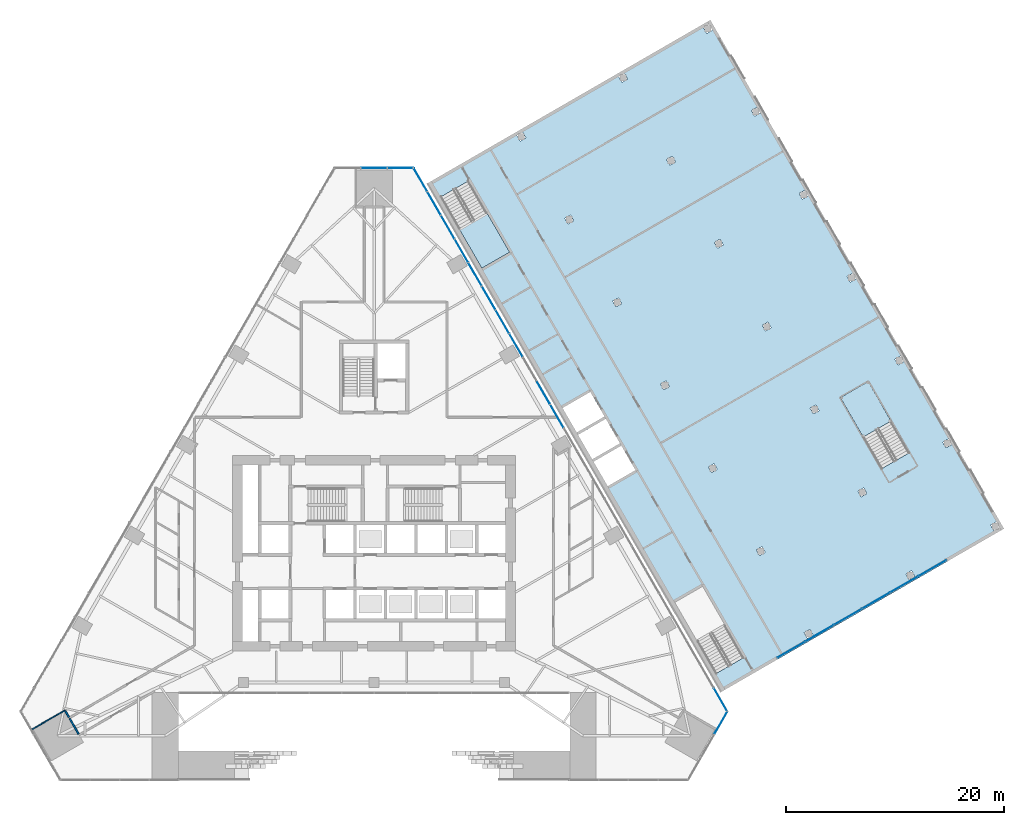
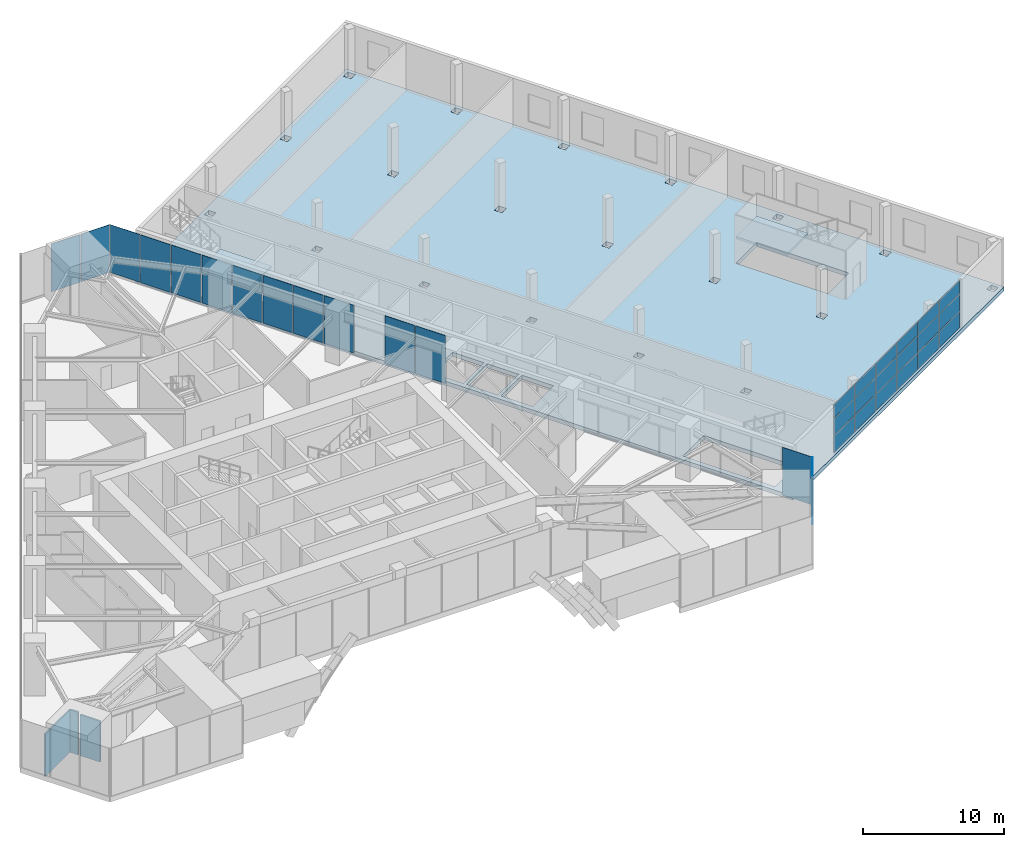
# One storey, part 16 of 29: 32 plates, 3 slabs, 3 walls, 6 elements without a shape of their own.
"""IFC4 building model written with IfcOpenShell, lengths in metres."""

from ifc_helpers import new_model, si_unit, direction, frame, frame_2d, origin, origin_2d, place, context, subcontext, project, spatial, polyline, rectangle, outline, extrude, material, layer, layer_set, type_object, element, aggregate, save


model = new_model("IFC4")

# Units and contexts
model_context = context("Model", 3, precision=1e-05, world=origin(), true_north=direction((0.0, 1.0)))
body_context = subcontext(model_context, "Body", "Model", "MODEL_VIEW")
ifc_project = project(units=[si_unit("LENGTHUNIT", "METRE"), si_unit("AREAUNIT", "SQUARE_METRE"), si_unit("VOLUMEUNIT", "CUBIC_METRE"), si_unit("PLANEANGLEUNIT", "RADIAN"), si_unit("MASSUNIT", "GRAM", prefix="KILO")], contexts=[model_context])

# Site, building, storey
site_placement = place(None, origin())
site = spatial("IfcSite", under=ifc_project, at=site_placement, CompositionType="ELEMENT")
building_placement = place(site_placement, origin())
building = spatial("IfcBuilding", under=site, at=building_placement, Name="Firuza Gate Tower and Library", CompositionType="ELEMENT")
storey_placement = place(building_placement, frame((0.0, 0.0, 17.199951171875)))
storey = spatial("IfcBuildingStorey", under=building, at=storey_placement, Name="L03", CompositionType="ELEMENT", Elevation=17.199951171875)

# Curtain wall, plate
ifc_material_1 = material(Name="Aluminium 6063-T6", Category="aluminium")
ifc_layer_1 = layer(ifc_material_1, 0.14990234375)
ifc_layer_set_1 = layer_set([ifc_layer_1], Name="Stick curtain wall, podium")
curtain_wall_type_1 = type_object("IfcCurtainWallType", Name="Stick curtain wall, podium", PredefinedType="NOTDEFINED", material=ifc_layer_set_1)
placement_1 = place(storey_placement, origin())
curtain_wall_1 = element("IfcCurtainWall", 1, at=placement_1, inside=storey, type_object=curtain_wall_type_1, Name="CW5 L03 SE", PredefinedType="NOTDEFINED")
ifc_material_2 = material(Name="Fritted glass", Category="glass")
ifc_layer_2 = layer(ifc_material_2, 0.030029296875)
ifc_layer_set_2 = layer_set([ifc_layer_2], Name="Clear glass unit, podium")
plate_type_1 = type_object("IfcPlateType", Name="Clear glass unit, podium", PredefinedType="CURTAIN_PANEL", material=ifc_layer_set_2)
plate_1_placement = place(storey_placement, frame((106.30517578125, 58.37451171875, 0.150146484375), z_axis=(0.866047116916, -0.499962389866, 0.0), x_axis=(0.499962389866, 0.866047116916, 0.0)))
plate_1 = element("IfcPlate", 2, at=plate_1_placement, type_object=plate_type_1, Name="Glass unit", PredefinedType="CURTAIN_PANEL", context=body_context, shape_type="SweptSolid", body=[
    extrude(outline(polyline([(0.0, 0.0), (2.3488094905771977, 0.0), (2.3488094905771977, 4.149902343750001), (0.0, 4.149902343750001), (0.0, 0.0)])), origin(), (0.0, 0.0, -1.0), 0.030029296875),
])
aggregate(curtain_wall_1, [plate_1])

# Curtain wall, plates
curtain_wall_2 = element("IfcCurtainWall", 3, at=placement_1, inside=storey, type_object=curtain_wall_type_1, Name="CW5 L03 E", PredefinedType="NOTDEFINED")
plate_2_placement = place(storey_placement, frame((107.4794921875, 60.492919921875, 0.150146484375), z_axis=(0.866056658381, 0.499945861543, 0.0), x_axis=(-0.499945861543, 0.866056658381, 0.0)))
plate_2 = element("IfcPlate", 4, at=plate_2_placement, type_object=plate_type_1, Name="Glass unit", PredefinedType="CURTAIN_PANEL", context=body_context, shape_type="SweptSolid", body=[
    extrude(outline(polyline([(0.0, 0.0), (2.4279972710515545, 0.0), (2.4279972710515545, 4.14990234375), (0.0, 4.14990234375), (0.0, 0.0)])), origin(), (0.0, 0.0, -1.0), 0.030029296875),
])
plate_3_placement = place(storey_placement, frame((92.430908203125, 86.55810546875, 0.150146484375), z_axis=(0.866013120021, 0.500021275498, 0.0), x_axis=(-0.500021275498, 0.866013120021, 0.0)))
plate_3 = element("IfcPlate", 5, at=plate_3_placement, type_object=plate_type_1, Name="Glass unit", PredefinedType="CURTAIN_PANEL", context=body_context, shape_type="SweptSolid", body=[
    extrude(outline(polyline([(0.0, 0.0), (2.428119337352694, 0.0), (2.428119337352694, 4.149902343749999), (0.0, 4.149902343749999), (0.0, 0.0)])), origin(), (0.0, 0.0, -1.0), 0.030029296875),
])
plate_4_placement = place(storey_placement, frame((91.1767578125, 88.72998046875, 0.150146484375), z_axis=(0.866081787721, 0.499902327438, 0.0), x_axis=(-0.499902327438, 0.866081787721, 0.0)))
plate_4 = element("IfcPlate", 6, at=plate_4_placement, type_object=plate_type_1, Name="Glass unit", PredefinedType="CURTAIN_PANEL", context=body_context, shape_type="SweptSolid", body=[
    extrude(outline(polyline([(0.0, 0.0), (2.428208713733097, 0.0), (2.428208713733097, 4.14990234375), (0.0, 4.14990234375), (0.0, 0.0)])), origin(), (0.0, 0.0, -1.0), 0.030029296875),
])
plate_5_placement = place(storey_placement, frame((88.668701171875, 93.07421875, 0.150146484375), z_axis=(0.866013120021, 0.500021275498, 0.0), x_axis=(-0.500021275498, 0.866013120021, 0.0)))
plate_5 = element("IfcPlate", 7, at=plate_5_placement, type_object=plate_type_1, Name="Glass unit", PredefinedType="CURTAIN_PANEL", context=body_context, shape_type="SweptSolid", body=[
    extrude(outline(polyline([(0.0, 0.0), (2.428119337352694, 0.0), (2.428119337352694, 4.149902343749999), (0.0, 4.149902343749999), (0.0, 0.0)])), origin(), (0.0, 0.0, -1.0), 0.030029296875),
])
plate_6_placement = place(storey_placement, frame((87.414794921875, 95.246337890625, 0.150146484375), z_axis=(0.866013120021, 0.500021275498, 0.0), x_axis=(-0.500021275498, 0.866013120021, 0.0)))
plate_6 = element("IfcPlate", 8, at=plate_6_placement, type_object=plate_type_1, Name="Glass unit", PredefinedType="CURTAIN_PANEL", context=body_context, shape_type="SweptSolid", body=[
    extrude(outline(polyline([(0.0, 0.0), (2.428119337352694, 0.0), (2.428119337352694, 4.149902343749999), (0.0, 4.149902343749999), (0.0, 0.0)])), origin(), (0.0, 0.0, -1.0), 0.030029296875),
])
plate_7_placement = place(storey_placement, frame((86.16064453125, 97.41845703125, 0.150146484375), z_axis=(0.866013120021, 0.500021275498, 0.0), x_axis=(-0.500021275498, 0.866013120021, 0.0)))
plate_7 = element("IfcPlate", 9, at=plate_7_placement, type_object=plate_type_1, Name="Glass unit", PredefinedType="CURTAIN_PANEL", context=body_context, shape_type="SweptSolid", body=[
    extrude(outline(polyline([(0.0, 0.0), (2.428119337352694, 0.0), (2.428119337352694, 4.149902343749999), (0.0, 4.149902343749999), (0.0, 0.0)])), origin(), (0.0, 0.0, -1.0), 0.030029296875),
])
plate_8_placement = place(storey_placement, frame((84.906494140625, 99.590576171875, 0.150146484375), z_axis=(0.866056658381, 0.499945861543, 0.0), x_axis=(-0.499945861543, 0.866056658381, 0.0)))
plate_8 = element("IfcPlate", 10, at=plate_8_placement, type_object=plate_type_1, Name="Glass unit", PredefinedType="CURTAIN_PANEL", context=body_context, shape_type="SweptSolid", body=[
    extrude(outline(polyline([(0.0, 0.0), (2.4279972710515545, 0.0), (2.4279972710515545, 4.14990234375), (0.0, 4.14990234375), (0.0, 0.0)])), origin(), (0.0, 0.0, -1.0), 0.030029296875),
])
plate_9_placement = place(storey_placement, frame((83.652587890625, 101.7626953125, 0.150146484375), z_axis=(0.866013120021, 0.500021275498, 0.0), x_axis=(-0.500021275498, 0.866013120021, 0.0)))
plate_9 = element("IfcPlate", 11, at=plate_9_placement, type_object=plate_type_1, Name="Glass unit", PredefinedType="CURTAIN_PANEL", context=body_context, shape_type="SweptSolid", body=[
    extrude(outline(polyline([(0.0, 0.0), (2.428119337352694, 0.0), (2.428119337352694, 4.149902343749999), (0.0, 4.149902343749999), (0.0, 0.0)])), origin(), (0.0, 0.0, -1.0), 0.030029296875),
])
plate_10_placement = place(storey_placement, frame((82.3984375, 103.934814453125, 0.150146484375), z_axis=(0.866013120021, 0.500021275498, 0.0), x_axis=(-0.500021275498, 0.866013120021, 0.0)))
plate_10 = element("IfcPlate", 12, at=plate_10_placement, type_object=plate_type_1, Name="Glass unit", PredefinedType="CURTAIN_PANEL", context=body_context, shape_type="SweptSolid", body=[
    extrude(outline(polyline([(0.0, 0.0), (2.428119337352694, 0.0), (2.428119337352694, 4.149902343749999), (0.0, 4.149902343749999), (0.0, 0.0)])), origin(), (0.0, 0.0, -1.0), 0.030029296875),
])
plate_11_placement = place(storey_placement, frame((81.144287109375, 106.106689453125, 0.150146484375), z_axis=(0.866081787721, 0.499902327438, 0.0), x_axis=(-0.499902327438, 0.866081787721, 0.0)))
plate_11 = element("IfcPlate", 13, at=plate_11_placement, type_object=plate_type_1, Name="Glass unit", PredefinedType="CURTAIN_PANEL", context=body_context, shape_type="SweptSolid", body=[
    extrude(outline(polyline([(0.0, 0.0), (2.428208713733097, 0.0), (2.428208713733097, 4.14990234375), (0.0, 4.14990234375), (0.0, 0.0)])), origin(), (0.0, 0.0, -1.0), 0.030029296875),
])
plate_12_placement = place(storey_placement, frame((79.890380859375, 108.27880859375, 0.150146484375), z_axis=(0.866013120021, 0.500021275498, 0.0), x_axis=(-0.500021275498, 0.866013120021, 0.0)))
plate_12 = element("IfcPlate", 14, at=plate_12_placement, type_object=plate_type_1, Name="Glass unit", PredefinedType="CURTAIN_PANEL", context=body_context, shape_type="SweptSolid", body=[
    extrude(outline(polyline([(0.0, 0.0), (2.428119337352694, 0.0), (2.428119337352694, 4.149902343749999), (0.0, 4.149902343749999), (0.0, 0.0)])), origin(), (0.0, 0.0, -1.0), 0.030029296875),
])
aggregate(curtain_wall_2, [plate_2, plate_3, plate_4, plate_5, plate_6, plate_7, plate_8, plate_9, plate_10, plate_11, plate_12])

curtain_wall_3 = element("IfcCurtainWall", 15, at=placement_1, inside=storey, type_object=curtain_wall_type_1, Name="CW5 L03 N", PredefinedType="NOTDEFINED")
plate_13_placement = place(storey_placement, frame((78.603271484375, 110.423828125, 0.150146484375), z_axis=(0.0, 1.0, 0.0), x_axis=(-1.0, 0.0, 0.0)))
plate_13 = element("IfcPlate", 16, at=plate_13_placement, type_object=plate_type_1, Name="Glass unit", PredefinedType="CURTAIN_PANEL", context=body_context, shape_type="SweptSolid", body=[
    extrude(outline(polyline([(0.0, 0.0), (2.348876953125, 0.0), (2.348876953125, 4.14990234375), (0.0, 4.14990234375), (0.0, 0.0)])), origin(), (0.0, 0.0, -1.0), 0.030029296875),
])
plate_14_placement = place(storey_placement, frame((76.17431640625, 110.423828125, 0.150146484375), z_axis=(0.0, 1.0, 0.0), x_axis=(-1.0, 0.0, 0.0)))
plate_14 = element("IfcPlate", 17, at=plate_14_placement, type_object=plate_type_1, Name="Glass unit", PredefinedType="CURTAIN_PANEL", context=body_context, shape_type="SweptSolid", body=[
    extrude(outline(polyline([(0.0, 0.0), (2.3486328125, 0.0), (2.3486328125, 4.14990234375), (0.0, 4.14990234375), (0.0, 0.0)])), origin(), (0.0, 0.0, -1.0), 0.030029296875),
])
aggregate(curtain_wall_3, [plate_13, plate_14])

ifc_material_3 = material(Name="Aluminium", Category="aluminium")
curtain_wall_type_2 = type_object("IfcCurtainWallType", Name="LIB CURTAIN WALL", PredefinedType="NOTDEFINED", material=ifc_material_3)
curtain_wall_4 = element("IfcCurtainWall", 18, at=placement_1, inside=storey, type_object=curtain_wall_type_2, Name="L03 south curtain wall", PredefinedType="NOTDEFINED")
ifc_material_4 = material(Name="Ceramic-fritted glass", Category="glass")
ifc_layer_3 = layer(ifc_material_4, 0.028076171875)
ifc_layer_set_3 = layer_set([ifc_layer_3], Name="LIB CW PANEL 28")
plate_type_2 = type_object("IfcPlateType", Name="LIB CW PANEL 28", PredefinedType="CURTAIN_PANEL", material=ifc_layer_set_3)
plate_15_placement = place(storey_placement, frame((113.3662109375, 66.14697265625, 0.06005859375), z_axis=(0.0, 0.0, 1.0), x_axis=(0.866024608393, 0.500001377656, 0.0)))
plate_15 = element("IfcPlate", 19, at=plate_15_placement, type_object=plate_type_2, Name="LIB-CW panel 1.1", PredefinedType="CURTAIN_PANEL", context=body_context, shape_type="SweptSolid", body=[
    extrude(rectangle(XDim=2.909912109375, YDim=0.028076171875, at=origin_2d()), origin(), (0.0, 0.0, 1.0), 1.409912109375),
])
plate_16_placement = place(storey_placement, frame((113.3662109375, 66.14697265625, 1.530029296875), z_axis=(0.0, 0.0, 1.0), x_axis=(0.866024608393, 0.500001377656, 0.0)))
plate_16 = element("IfcPlate", 20, at=plate_16_placement, type_object=plate_type_2, Name="LIB-CW panel 1.2", PredefinedType="CURTAIN_PANEL", context=body_context, shape_type="SweptSolid", body=[
    extrude(rectangle(XDim=2.909912109375, YDim=0.028076171875, at=origin_2d()), origin(), (0.0, 0.0, 1.0), 1.43994140625),
])
plate_17_placement = place(storey_placement, frame((113.3662109375, 66.14697265625, 3.030029296875), z_axis=(0.0, 0.0, 1.0), x_axis=(0.866024608393, 0.500001377656, 0.0)))
plate_17 = element("IfcPlate", 21, at=plate_17_placement, type_object=plate_type_2, Name="LIB-CW panel 1.3", PredefinedType="CURTAIN_PANEL", context=body_context, shape_type="SweptSolid", body=[
    extrude(rectangle(XDim=2.909912109375, YDim=0.028076171875, at=origin_2d()), origin(), (0.0, 0.0, 1.0), 1.14990234375),
])
plate_18_placement = place(storey_placement, frame((115.951416015625, 67.639404296875, 0.06005859375), z_axis=(0.0, 0.0, 1.0), x_axis=(0.866024608393, 0.500001377656, 0.0)))
plate_18 = element("IfcPlate", 22, at=plate_18_placement, type_object=plate_type_2, Name="LIB-CW panel 2.1", PredefinedType="CURTAIN_PANEL", context=body_context, shape_type="SweptSolid", body=[
    extrude(rectangle(XDim=2.93994140625, YDim=0.028076171875, at=origin_2d()), origin(), (0.0, 0.0, 1.0), 1.409912109375),
])
plate_19_placement = place(storey_placement, frame((115.951416015625, 67.639404296875, 1.530029296875), z_axis=(0.0, 0.0, 1.0), x_axis=(0.866024608393, 0.500001377656, 0.0)))
plate_19 = element("IfcPlate", 23, at=plate_19_placement, type_object=plate_type_2, Name="LIB-CW panel 2.2", PredefinedType="CURTAIN_PANEL", context=body_context, shape_type="SweptSolid", body=[
    extrude(rectangle(XDim=2.93994140625, YDim=0.028076171875, at=origin_2d()), origin(), (0.0, 0.0, 1.0), 1.43994140625),
])
plate_20_placement = place(storey_placement, frame((115.951416015625, 67.639404296875, 3.030029296875), z_axis=(0.0, 0.0, 1.0), x_axis=(0.866024608393, 0.500001377656, 0.0)))
plate_20 = element("IfcPlate", 24, at=plate_20_placement, type_object=plate_type_2, Name="LIB-CW panel 2.3", PredefinedType="CURTAIN_PANEL", context=body_context, shape_type="SweptSolid", body=[
    extrude(rectangle(XDim=2.93994140625, YDim=0.028076171875, at=origin_2d()), origin(), (0.0, 0.0, 1.0), 1.14990234375),
])
plate_21_placement = place(storey_placement, frame((118.54931640625, 69.139404296875, 0.06005859375), z_axis=(0.0, 0.0, 1.0), x_axis=(0.866024608393, 0.500001377656, 0.0)))
plate_21 = element("IfcPlate", 25, at=plate_21_placement, type_object=plate_type_2, Name="LIB-CW panel 3.1", PredefinedType="CURTAIN_PANEL", context=body_context, shape_type="SweptSolid", body=[
    extrude(rectangle(XDim=2.93994140625, YDim=0.028076171875, at=origin_2d()), origin(), (0.0, 0.0, 1.0), 1.409912109375),
])
plate_22_placement = place(storey_placement, frame((118.54931640625, 69.139404296875, 1.530029296875), z_axis=(0.0, 0.0, 1.0), x_axis=(0.866024608393, 0.500001377656, 0.0)))
plate_22 = element("IfcPlate", 26, at=plate_22_placement, type_object=plate_type_2, Name="LIB-CW panel 3.2", PredefinedType="CURTAIN_PANEL", context=body_context, shape_type="SweptSolid", body=[
    extrude(rectangle(XDim=2.93994140625, YDim=0.028076171875, at=origin_2d()), origin(), (0.0, 0.0, 1.0), 1.43994140625),
])
plate_23_placement = place(storey_placement, frame((118.54931640625, 69.139404296875, 3.030029296875), z_axis=(0.0, 0.0, 1.0), x_axis=(0.866024608393, 0.500001377656, 0.0)))
plate_23 = element("IfcPlate", 27, at=plate_23_placement, type_object=plate_type_2, Name="LIB-CW panel 3.3", PredefinedType="CURTAIN_PANEL", context=body_context, shape_type="SweptSolid", body=[
    extrude(rectangle(XDim=2.93994140625, YDim=0.028076171875, at=origin_2d()), origin(), (0.0, 0.0, 1.0), 1.14990234375),
])
plate_24_placement = place(storey_placement, frame((121.1474609375, 70.639404296875, 0.06005859375), z_axis=(0.0, 0.0, 1.0), x_axis=(0.866024608393, 0.500001377656, 0.0)))
plate_24 = element("IfcPlate", 28, at=plate_24_placement, type_object=plate_type_2, Name="LIB-CW panel 4.1", PredefinedType="CURTAIN_PANEL", context=body_context, shape_type="SweptSolid", body=[
    extrude(rectangle(XDim=2.93994140625, YDim=0.028076171875, at=origin_2d()), origin(), (0.0, 0.0, 1.0), 1.409912109375),
])
plate_25_placement = place(storey_placement, frame((121.1474609375, 70.639404296875, 1.530029296875), z_axis=(0.0, 0.0, 1.0), x_axis=(0.866024608393, 0.500001377656, 0.0)))
plate_25 = element("IfcPlate", 29, at=plate_25_placement, type_object=plate_type_2, Name="LIB-CW panel 4.2", PredefinedType="CURTAIN_PANEL", context=body_context, shape_type="SweptSolid", body=[
    extrude(rectangle(XDim=2.93994140625, YDim=0.028076171875, at=origin_2d()), origin(), (0.0, 0.0, 1.0), 1.43994140625),
])
plate_26_placement = place(storey_placement, frame((121.1474609375, 70.639404296875, 3.030029296875), z_axis=(0.0, 0.0, 1.0), x_axis=(0.866024608393, 0.500001377656, 0.0)))
plate_26 = element("IfcPlate", 30, at=plate_26_placement, type_object=plate_type_2, Name="LIB-CW panel 4.3", PredefinedType="CURTAIN_PANEL", context=body_context, shape_type="SweptSolid", body=[
    extrude(rectangle(XDim=2.93994140625, YDim=0.028076171875, at=origin_2d()), origin(), (0.0, 0.0, 1.0), 1.14990234375),
])
plate_27_placement = place(storey_placement, frame((123.74560546875, 72.139404296875, 0.06005859375), z_axis=(0.0, 0.0, 1.0), x_axis=(0.866024608393, 0.500001377656, 0.0)))
plate_27 = element("IfcPlate", 31, at=plate_27_placement, type_object=plate_type_2, Name="LIB-CW panel 5.1", PredefinedType="CURTAIN_PANEL", context=body_context, shape_type="SweptSolid", body=[
    extrude(rectangle(XDim=2.93994140625, YDim=0.028076171875, at=origin_2d()), origin(), (0.0, 0.0, 1.0), 1.409912109375),
])
plate_28_placement = place(storey_placement, frame((123.74560546875, 72.139404296875, 1.530029296875), z_axis=(0.0, 0.0, 1.0), x_axis=(0.866024608393, 0.500001377656, 0.0)))
plate_28 = element("IfcPlate", 32, at=plate_28_placement, type_object=plate_type_2, Name="LIB-CW panel 5.2", PredefinedType="CURTAIN_PANEL", context=body_context, shape_type="SweptSolid", body=[
    extrude(rectangle(XDim=2.93994140625, YDim=0.028076171875, at=origin_2d()), origin(), (0.0, 0.0, 1.0), 1.43994140625),
])
plate_29_placement = place(storey_placement, frame((123.74560546875, 72.139404296875, 3.030029296875), z_axis=(0.0, 0.0, 1.0), x_axis=(0.866024608393, 0.500001377656, 0.0)))
plate_29 = element("IfcPlate", 33, at=plate_29_placement, type_object=plate_type_2, Name="LIB-CW panel 5.3", PredefinedType="CURTAIN_PANEL", context=body_context, shape_type="SweptSolid", body=[
    extrude(rectangle(XDim=2.93994140625, YDim=0.028076171875, at=origin_2d()), origin(), (0.0, 0.0, 1.0), 1.14990234375),
])
plate_30_placement = place(storey_placement, frame((126.33056640625, 73.632080078125, 0.06005859375), z_axis=(0.0, 0.0, 1.0), x_axis=(0.866024608393, 0.500001377656, 0.0)))
plate_30 = element("IfcPlate", 34, at=plate_30_placement, type_object=plate_type_2, Name="LIB-CW panel 6.1", PredefinedType="CURTAIN_PANEL", context=body_context, shape_type="SweptSolid", body=[
    extrude(rectangle(XDim=2.909912109375, YDim=0.028076171875, at=origin_2d()), origin(), (0.0, 0.0, 1.0), 1.409912109375),
])
plate_31_placement = place(storey_placement, frame((126.33056640625, 73.632080078125, 1.530029296875), z_axis=(0.0, 0.0, 1.0), x_axis=(0.866024608393, 0.500001377656, 0.0)))
plate_31 = element("IfcPlate", 35, at=plate_31_placement, type_object=plate_type_2, Name="LIB-CW panel 6.2", PredefinedType="CURTAIN_PANEL", context=body_context, shape_type="SweptSolid", body=[
    extrude(rectangle(XDim=2.909912109375, YDim=0.028076171875, at=origin_2d()), origin(), (0.0, 0.0, 1.0), 1.43994140625),
])
plate_32_placement = place(storey_placement, frame((126.33056640625, 73.632080078125, 3.030029296875), z_axis=(0.0, 0.0, 1.0), x_axis=(0.866024608393, 0.500001377656, 0.0)))
plate_32 = element("IfcPlate", 36, at=plate_32_placement, type_object=plate_type_2, Name="LIB-CW panel 6.3", PredefinedType="CURTAIN_PANEL", context=body_context, shape_type="SweptSolid", body=[
    extrude(rectangle(XDim=2.909912109375, YDim=0.028076171875, at=origin_2d()), origin(), (0.0, 0.0, 1.0), 1.14990234375),
])
aggregate(curtain_wall_4, [plate_15, plate_16, plate_17, plate_18, plate_19, plate_20, plate_21, plate_22, plate_23, plate_24, plate_25, plate_26, plate_27, plate_28, plate_29, plate_30, plate_31, plate_32])

# Slab
ifc_material_5 = material(Name="Concrete C40/50", Category="concrete")
ifc_layer_4 = layer(ifc_material_5, 0.360107421875)
ifc_layer_set_4 = layer_set([ifc_layer_4], Name="LIB FLAT SLAB 360")
slab_type_1 = type_object("IfcSlabType", Name="LIB FLAT SLAB 360", PredefinedType="FLOOR", material=ifc_layer_set_4)
slab_1_placement = place(storey_placement, frame((0.0, 0.0, -0.35986328125)))
element("IfcSlab", 37, at=slab_1_placement, inside=storey, type_object=slab_type_1, Name="Library floor slab L03", PredefinedType="FLOOR", context=body_context, shape_type="SweptSolid", body=[
    extrude(outline(polyline([(106.93310546875, 62.259521484375), (132.913818359375, 77.259521484375), (105.913818359375, 124.02490234375), (79.93310546875, 109.02490234375), (106.93310546875, 62.259521484375)]), holes=[polyline([(108.98388671875, 65.4072265625), (105.2041015625, 71.9541015625), (102.6494140625, 70.47900390625), (106.42919921875, 63.932373046875), (108.98388671875, 65.4072265625)]), polyline([(96.4794921875, 81.165771484375), (99.0341796875, 82.640869140625), (97.734130859375, 84.892333984375), (95.179443359375, 83.41748046875), (96.4794921875, 81.165771484375)]), polyline([(95.054443359375, 83.6337890625), (97.609130859375, 85.10888671875), (96.30908203125, 87.360595703125), (93.75439453125, 85.885498046875), (95.054443359375, 83.6337890625)]), polyline([(114.537109375, 67.68896484375), (114.8369140625, 67.16943359375), (115.356689453125, 67.469482421875), (115.056640625, 67.989013671875), (114.537109375, 67.68896484375)]), polyline([(110.43701171875, 74.79052734375), (110.956787109375, 75.090576171875), (110.65673828125, 75.610107421875), (110.136962890625, 75.31005859375), (110.43701171875, 74.79052734375)]), polyline([(106.037109375, 82.41162109375), (106.556640625, 82.71142578125), (106.256591796875, 83.231201171875), (105.737060546875, 82.93115234375), (106.037109375, 82.41162109375)]), polyline([(101.3369140625, 90.552001953125), (101.636962890625, 90.032470703125), (102.15673828125, 90.33251953125), (101.856689453125, 90.85205078125), (101.3369140625, 90.552001953125)]), polyline([(124.190185546875, 72.5693359375), (124.709716796875, 72.869384765625), (124.40966796875, 73.388916015625), (123.89013671875, 73.089111328125), (124.190185546875, 72.5693359375)]), polyline([(119.7900390625, 80.1904296875), (120.309814453125, 80.490478515625), (120.009765625, 81.010009765625), (119.489990234375, 80.710205078125), (119.7900390625, 80.1904296875)]), polyline([(115.39013671875, 87.8115234375), (115.90966796875, 88.111572265625), (115.609619140625, 88.631103515625), (115.090087890625, 88.3310546875), (115.39013671875, 87.8115234375)]), polyline([(120.426513671875, 90.788330078125), (117.87158203125, 89.3134765625), (121.6513671875, 82.7666015625), (124.2060546875, 84.24169921875), (120.426513671875, 90.788330078125)]), polyline([(131.984375, 77.0693359375), (132.50390625, 77.369384765625), (132.2041015625, 77.888916015625), (131.684326171875, 77.589111328125), (131.984375, 77.0693359375)]), polyline([(127.58447265625, 84.6904296875), (128.10400390625, 84.990478515625), (127.803955078125, 85.510009765625), (127.284423828125, 85.210205078125), (127.58447265625, 84.6904296875)]), polyline([(122.884521484375, 92.8310546875), (123.184326171875, 92.3115234375), (123.7041015625, 92.611572265625), (123.404052734375, 93.131103515625), (122.884521484375, 92.8310546875)]), polyline([(84.909423828125, 101.20556640625), (87.464111328125, 102.6806640625), (83.684326171875, 109.227294921875), (81.129638671875, 107.752197265625), (84.909423828125, 101.20556640625)]), polyline([(93.62939453125, 86.10205078125), (96.18408203125, 87.5771484375), (94.88427734375, 89.828857421875), (92.329345703125, 88.353759765625), (93.62939453125, 86.10205078125)]), polyline([(97.237060546875, 97.653564453125), (97.756591796875, 97.95361328125), (97.456787109375, 98.47314453125), (96.93701171875, 98.173095703125), (97.237060546875, 97.653564453125)]), polyline([(92.8369140625, 105.2744140625), (93.356689453125, 105.574462890625), (93.056640625, 106.09423828125), (92.537109375, 105.794189453125), (92.8369140625, 105.2744140625)]), polyline([(88.43701171875, 112.8955078125), (88.956787109375, 113.195556640625), (88.65673828125, 113.715087890625), (88.136962890625, 113.415283203125), (88.43701171875, 112.8955078125)]), polyline([(110.989990234375, 95.4326171875), (111.509765625, 95.732421875), (111.209716796875, 96.252197265625), (110.690185546875, 95.9521484375), (110.989990234375, 95.4326171875)]), polyline([(106.2900390625, 103.572998046875), (106.590087890625, 103.053466796875), (107.109619140625, 103.353515625), (106.809814453125, 103.873046875), (106.2900390625, 103.572998046875)]), polyline([(102.190185546875, 110.674560546875), (102.709716796875, 110.974609375), (102.40966796875, 111.494140625), (101.89013671875, 111.194091796875), (102.190185546875, 110.674560546875)]), polyline([(97.7900390625, 118.295654296875), (98.309814453125, 118.595703125), (98.009765625, 119.115234375), (97.489990234375, 118.815185546875), (97.7900390625, 118.295654296875)]), polyline([(118.784423828125, 99.9326171875), (119.303955078125, 100.232421875), (119.00390625, 100.752197265625), (118.484375, 100.4521484375), (118.784423828125, 99.9326171875)]), polyline([(114.384521484375, 107.553466796875), (114.904052734375, 107.853515625), (114.60400390625, 108.373046875), (114.08447265625, 108.072998046875), (114.384521484375, 107.553466796875)]), polyline([(109.984375, 115.174560546875), (110.50390625, 115.474609375), (110.2041015625, 115.994140625), (109.684326171875, 115.694091796875), (109.984375, 115.174560546875)]), polyline([(105.58447265625, 122.795654296875), (106.10400390625, 123.095703125), (105.803955078125, 123.615234375), (105.284423828125, 123.315185546875), (105.58447265625, 122.795654296875)])]), origin(), (0.0, 0.0, 1.0), 0.35986328125),
])

# Stair, slab
ifc_material_6 = material(Name="Concrete C40/50", Category="concrete")
stair_type = type_object("IfcStairType", Name="LIB STAIR", PredefinedType="HALF_TURN_STAIR", material=ifc_material_6)
stair_1 = element("IfcStair", 38, at=placement_1, inside=storey, type_object=stair_type, Name="L03 Exit stair A", PredefinedType="HALF_TURN_STAIR")
ifc_material_7 = material(Name="Concrete C40/50", Category="concrete")
ifc_layer_5 = layer(ifc_material_7, 0.199951171875)
ifc_layer_set_5 = layer_set([ifc_layer_5], Name="LIB STAIR LANDING")
slab_type_2 = type_object("IfcSlabType", Name="LIB STAIR LANDING", PredefinedType="LANDING", material=ifc_layer_set_5)
placement_2 = place(storey_placement, frame((0.0, 0.0, 2.10009765625)))
slab_2 = element("IfcSlab", 39, at=placement_2, type_object=slab_type_2, Name="LIB-ST-A landing 1", PredefinedType="LANDING", context=body_context, shape_type="SweptSolid", body=[
    extrude(outline(polyline([(82.80908203125, 104.84326171875), (84.909423828125, 101.20556640625), (87.464111328125, 102.6806640625), (85.364013671875, 106.318359375), (82.80908203125, 104.84326171875)])), origin(), (0.0, 0.0, 1.0), 0.199951171875),
])
aggregate(stair_1, [slab_2])

stair_2 = element("IfcStair", 40, at=placement_1, inside=storey, type_object=stair_type, Name="L03 Feature stair", PredefinedType="HALF_TURN_STAIR")
slab_3 = element("IfcSlab", 41, at=placement_2, type_object=slab_type_2, Name="LIB-ST-C landing 1", PredefinedType="LANDING", context=body_context, shape_type="SweptSolid", body=[
    extrude(outline(polyline([(122.526611328125, 87.150634765625), (120.426513671875, 90.788330078125), (117.87158203125, 89.3134765625), (119.971923828125, 85.675537109375), (122.526611328125, 87.150634765625)])), origin(), (0.0, 0.0, 1.0), 0.199951171875),
])
aggregate(stair_2, [slab_3])

# Walls
ifc_material_8 = material(Name="Gypsum board partition")
ifc_layer_6 = layer(ifc_material_8, 0.14990234375)
ifc_layer_set_6 = layer_set([ifc_layer_6], Name="Corridor wall 150 double board on steel studs")
wall_type_1 = type_object("IfcWallType", Name="Corridor wall 150 double board on steel studs", PredefinedType="PARTITIONING", material=ifc_layer_set_6)
wall_1_placement = place(storey_placement, frame((47.84326171875, 58.368896484375, 0.0), z_axis=(0.0, 0.0, 1.0), x_axis=(-0.499927431592, 0.866067297121, 0.0)))
element("IfcWall", 42, at=wall_1_placement, inside=storey, type_object=wall_type_1, Name="f:L03:w027", PredefinedType="PARTITIONING", context=body_context, shape_type="SweptSolid", body=[
    extrude(rectangle(XDim=1.649658203125, YDim=0.14990234375, at=frame_2d((0.82470703125, 0.0))), origin(), (0.0, 0.0, 1.0), 3.547119140625),
])
wall_2_placement = place(storey_placement, frame((46.943603515625, 59.927490234375, 0.0), z_axis=(0.0, 0.0, 1.0), x_axis=(-0.500265536072, 0.865872042174, 0.0)))
element("IfcWall", 43, at=wall_2_placement, inside=storey, type_object=wall_type_1, Name="f:L03:w037", PredefinedType="PARTITIONING", context=body_context, shape_type="SweptSolid", body=[
    extrude(rectangle(XDim=0.674560546875, YDim=0.14990234375, at=frame_2d((0.33740234375, 0.0))), origin(), (0.0, 0.0, 1.0), 3.699951171875),
])
ifc_material_9 = material(Name="Gypsum board partition")
ifc_layer_7 = layer(ifc_material_9, 0.10009765625)
ifc_layer_set_7 = layer_set([ifc_layer_7], Name="Partition 100 gypsum board on steel studs")
wall_type_2 = type_object("IfcWallType", Name="Partition 100 gypsum board on steel studs", PredefinedType="PARTITIONING", material=ifc_layer_set_7)
wall_3_placement = place(storey_placement, frame((43.498046875, 58.775390625, 0.0), z_axis=(0.0, 0.0, 1.0), x_axis=(0.866014251095, 0.500019316528, 0.0)))
element("IfcWall", 44, at=wall_3_placement, inside=storey, type_object=wall_type_2, Name="f:L03:w011", PredefinedType="PARTITIONING", context=body_context, shape_type="SweptSolid", body=[
    extrude(rectangle(XDim=3.559326171875, YDim=0.10009765625, at=frame_2d((1.77978515625, 0.0))), origin(), (0.0, 0.0, 1.0), 3.699951171875),
])

save(model, "model.ifc")
